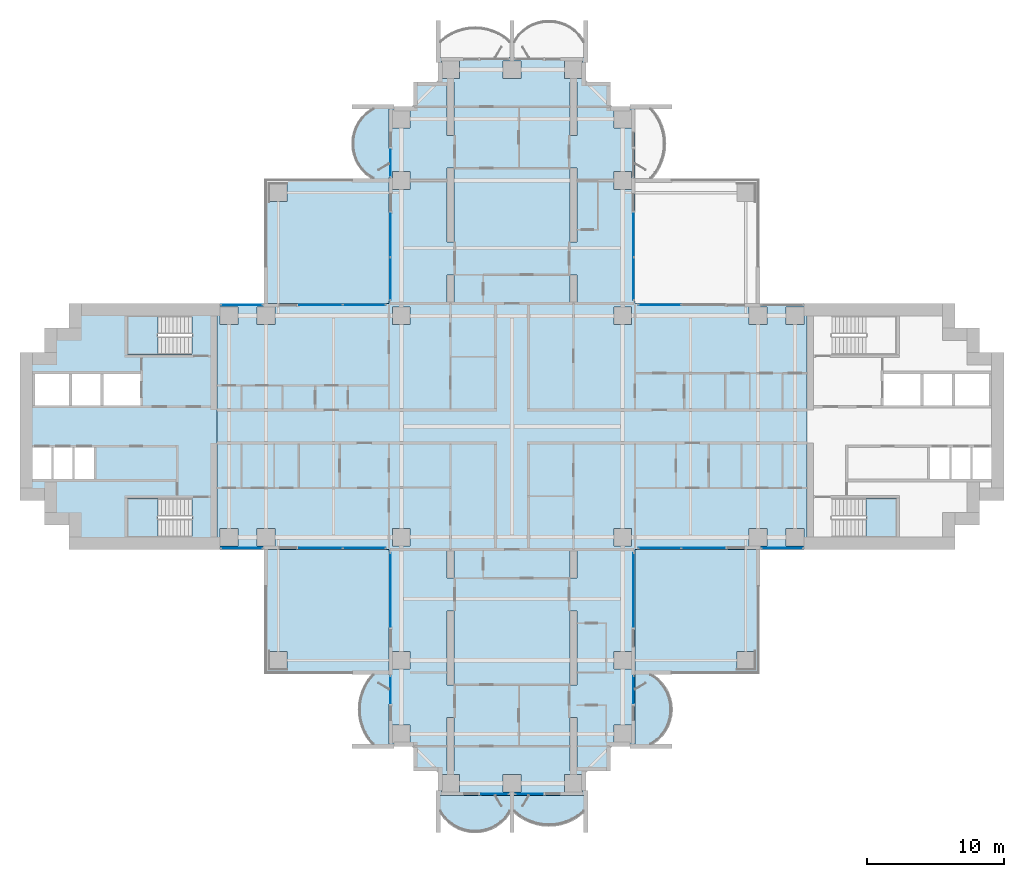
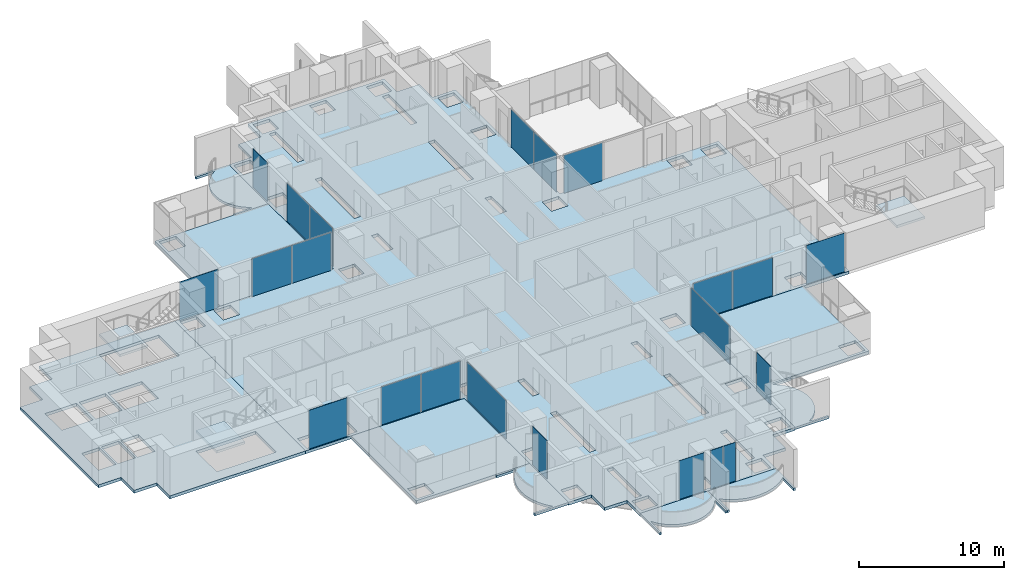
# One storey, part 8 of 21: 21 plates, 13 slabs, 19 elements without a shape of their own.
"""IFC4 building model written with IfcOpenShell, lengths in metres."""

from ifc_helpers import new_model, si_unit, direction, frame, origin, origin_2d, place, context, subcontext, project, spatial, polyline, rectangle, outline, extrude, material, layer, layer_set, type_object, element, aggregate, save


model = new_model("IFC4")

# Units and contexts
model_context = context("Model", 3, precision=1e-05, world=origin(), true_north=direction((0.0, 1.0)))
body_context = subcontext(model_context, "Body", "Model", "MODEL_VIEW")
ifc_project = project(units=[si_unit("LENGTHUNIT", "METRE"), si_unit("AREAUNIT", "SQUARE_METRE"), si_unit("VOLUMEUNIT", "CUBIC_METRE"), si_unit("PLANEANGLEUNIT", "RADIAN"), si_unit("MASSUNIT", "GRAM", prefix="KILO")], contexts=[model_context])

# Site, building, storey
site_placement = place(None, origin())
site = spatial("IfcSite", under=ifc_project, at=site_placement, CompositionType="ELEMENT")
building_placement = place(site_placement, origin())
building = spatial("IfcBuilding", under=site, at=building_placement, Name="Perihelion Cross Residences", CompositionType="ELEMENT")
storey_placement = place(building_placement, frame((0.0, 0.0, 47.0)))
storey = spatial("IfcBuildingStorey", under=building, at=storey_placement, Name="L08", CompositionType="ELEMENT", Elevation=47.0)

# Slabs
ifc_material_1 = material(Name="Concrete C40/50", Category="concrete")
ifc_layer_1 = layer(ifc_material_1, 0.199951171875)
ifc_layer_set_1 = layer_set([ifc_layer_1], Name="Balcony slab 200")
slab_type_1 = type_object("IfcSlabType", Name="Balcony slab 200", PredefinedType="FLOOR", material=ifc_layer_set_1)
slab_1_placement = place(storey_placement, frame((0.0, 0.0, -0.199951171875)))
element("IfcSlab", 1, at=slab_1_placement, inside=storey, type_object=slab_type_1, Name="Slab BK1 L08 north side west bay 1 balcony", PredefinedType="FLOOR", context=body_context, shape_type="SweptSolid", body=[
    extrude(outline(polyline([(-9.0, 23.39990234375), (-9.0, 18.0), (-11.699951171875, 18.0), (-11.699951171875, 18.14990234375), (-10.199951171875, 18.14990234375), (-10.6767578125, 18.489990234375), (-11.007080078125, 18.830078125), (-11.2490234375, 19.169921875), (-11.42724609375, 19.510009765625), (-11.553466796875, 19.85009765625), (-11.63427734375, 20.18994140625), (-11.674072265625, 20.530029296875), (-11.674072265625, 20.8701171875), (-11.63427734375, 21.2099609375), (-11.553466796875, 21.550048828125), (-11.42724609375, 21.889892578125), (-11.2490234375, 22.22998046875), (-11.007080078125, 22.570068359375), (-10.6767578125, 22.909912109375), (-10.199951171875, 23.25), (-11.699951171875, 23.25), (-11.699951171875, 23.39990234375), (-9.0, 23.39990234375)])), origin(), (0.0, 0.0, 1.0), 0.199951171875),
])
slab_2_placement = place(storey_placement, frame((0.0, 0.0, -0.199951171875)))
element("IfcSlab", 2, at=slab_2_placement, inside=storey, type_object=slab_type_1, Name="Slab BK1 L08 south side west bay 2 balcony", PredefinedType="FLOOR", context=body_context, shape_type="SweptSolid", body=[
    extrude(outline(polyline([(-9.0, -18.0), (-9.0, -23.39990234375), (-11.699951171875, -23.39990234375), (-11.699951171875, -23.25), (-10.199951171875, -23.25), (-10.5400390625, -22.824951171875), (-10.792724609375, -22.39990234375), (-10.9765625, -21.97509765625), (-11.1025390625, -21.550048828125), (-11.17578125, -21.125), (-11.199951171875, -20.699951171875), (-11.17578125, -20.27490234375), (-11.1025390625, -19.85009765625), (-10.9765625, -19.425048828125), (-10.792724609375, -19.0), (-10.5400390625, -18.574951171875), (-10.199951171875, -18.14990234375), (-11.699951171875, -18.14990234375), (-11.699951171875, -18.0), (-9.0, -18.0)])), origin(), (0.0, 0.0, 1.0), 0.199951171875),
])
slab_3_placement = place(storey_placement, frame((0.0, 0.0, -0.199951171875)))
element("IfcSlab", 3, at=slab_3_placement, inside=storey, type_object=slab_type_1, Name="Slab BK1 L08 south tip south bay 1 balcony", PredefinedType="FLOOR", context=body_context, shape_type="SweptSolid", body=[
    extrude(outline(polyline([(-5.39990234375, -27.0), (0.0, -27.0), (0.0, -29.699951171875), (-0.14990234375, -29.699951171875), (-0.14990234375, -28.199951171875), (-0.489990234375, -28.6767578125), (-0.830078125, -29.007080078125), (-1.169921875, -29.2490234375), (-1.510009765625, -29.42724609375), (-1.85009765625, -29.553466796875), (-2.18994140625, -29.63427734375), (-2.530029296875, -29.674072265625), (-2.8701171875, -29.674072265625), (-3.2099609375, -29.63427734375), (-3.550048828125, -29.553466796875), (-3.889892578125, -29.42724609375), (-4.22998046875, -29.2490234375), (-4.570068359375, -29.007080078125), (-4.909912109375, -28.6767578125), (-5.25, -28.199951171875), (-5.25, -29.699951171875), (-5.39990234375, -29.699951171875), (-5.39990234375, -27.0)])), origin(), (0.0, 0.0, 1.0), 0.199951171875),
])
slab_4_placement = place(storey_placement, frame((0.0, 0.0, -0.199951171875)))
element("IfcSlab", 4, at=slab_4_placement, inside=storey, type_object=slab_type_1, Name="Slab BK1 L08 south tip south bay 2 balcony", PredefinedType="FLOOR", context=body_context, shape_type="SweptSolid", body=[
    extrude(outline(polyline([(0.0, -27.0), (5.39990234375, -27.0), (5.39990234375, -29.699951171875), (5.25, -29.699951171875), (5.25, -28.199951171875), (4.824951171875, -28.5400390625), (4.39990234375, -28.792724609375), (3.97509765625, -28.9765625), (3.550048828125, -29.1025390625), (3.125, -29.17578125), (2.699951171875, -29.199951171875), (2.27490234375, -29.17578125), (1.85009765625, -29.1025390625), (1.425048828125, -28.9765625), (1.0, -28.792724609375), (0.574951171875, -28.5400390625), (0.14990234375, -28.199951171875), (0.14990234375, -29.699951171875), (0.0, -29.699951171875), (0.0, -27.0)])), origin(), (0.0, 0.0, 1.0), 0.199951171875),
])
slab_5_placement = place(storey_placement, frame((0.0, 0.0, -0.199951171875)))
element("IfcSlab", 5, at=slab_5_placement, inside=storey, type_object=slab_type_1, Name="Slab BK1 L08 south side east bay 1 balcony", PredefinedType="FLOOR", context=body_context, shape_type="SweptSolid", body=[
    extrude(outline(polyline([(9.0, -23.39990234375), (9.0, -18.0), (11.699951171875, -18.0), (11.699951171875, -18.14990234375), (10.199951171875, -18.14990234375), (10.6767578125, -18.489990234375), (11.007080078125, -18.830078125), (11.2490234375, -19.169921875), (11.42724609375, -19.510009765625), (11.553466796875, -19.85009765625), (11.63427734375, -20.18994140625), (11.674072265625, -20.530029296875), (11.674072265625, -20.8701171875), (11.63427734375, -21.2099609375), (11.553466796875, -21.550048828125), (11.42724609375, -21.889892578125), (11.2490234375, -22.22998046875), (11.007080078125, -22.570068359375), (10.6767578125, -22.909912109375), (10.199951171875, -23.25), (11.699951171875, -23.25), (11.699951171875, -23.39990234375), (9.0, -23.39990234375)])), origin(), (0.0, 0.0, 1.0), 0.199951171875),
])

# Curtain wall, plate
ifc_material_2 = material(Name="Bronze anodised aluminium, tinted glazing", Category="aluminium")
curtain_wall_type = type_object("IfcCurtainWallType", Name="CW1", PredefinedType="NOTDEFINED", material=ifc_material_2)
curtain_wall_1_placement = place(storey_placement, origin())
curtain_wall_1 = element("IfcCurtainWall", 6, at=curtain_wall_1_placement, inside=storey, type_object=curtain_wall_type, Name="Curtain wall CW1 L08 east side north bay 2", PredefinedType="NOTDEFINED")
ifc_material_3 = material(Name="Tinted laminated glass", Category="glass")
ifc_layer_2 = layer(ifc_material_3, 0.028076171875)
ifc_layer_set_2 = layer_set([ifc_layer_2], Name="CW1 panel")
plate_type = type_object("IfcPlateType", Name="CW1 panel", PredefinedType="CURTAIN_PANEL", material=ifc_layer_set_2)
plate_1_placement = place(storey_placement, frame((10.802490234375, 8.89990234375, 0.0), z_axis=(0.0, 0.0, 1.0), x_axis=(-1.0, 0.0, 0.0)))
plate_1 = element("IfcPlate", 7, at=plate_1_placement, type_object=plate_type, Name="CW1 panel 2", PredefinedType="CURTAIN_PANEL", context=body_context, shape_type="SweptSolid", body=[
    extrude(rectangle(XDim=3.0849609375, YDim=0.028076171875, at=origin_2d()), origin(), (0.0, 0.0, 1.0), 3.18994140625),
])
aggregate(curtain_wall_1, [plate_1])

# Curtain wall, plates
curtain_wall_2_placement = place(storey_placement, origin())
curtain_wall_2 = element("IfcCurtainWall", 8, at=curtain_wall_2_placement, inside=storey, type_object=curtain_wall_type, Name="Curtain wall CW1 L08 north side east bay 1", PredefinedType="NOTDEFINED")
plate_2_placement = place(storey_placement, frame((8.89990234375, 10.802490234375, 0.0), z_axis=(0.0, 0.0, 1.0), x_axis=(0.0, 1.0, 0.0)))
plate_2 = element("IfcPlate", 9, at=plate_2_placement, type_object=plate_type, Name="CW1 panel 1", PredefinedType="CURTAIN_PANEL", context=body_context, shape_type="SweptSolid", body=[
    extrude(rectangle(XDim=3.0849609375, YDim=0.028076171875, at=origin_2d()), origin(), (0.0, 0.0, 1.0), 3.18994140625),
])
plate_3_placement = place(storey_placement, frame((8.89990234375, 13.9775390625, 0.0), z_axis=(0.0, 0.0, 1.0), x_axis=(0.0, 1.0, 0.0)))
plate_3 = element("IfcPlate", 10, at=plate_3_placement, type_object=plate_type, Name="CW1 panel 2", PredefinedType="CURTAIN_PANEL", context=body_context, shape_type="SweptSolid", body=[
    extrude(rectangle(XDim=3.14501953125, YDim=0.028076171875, at=origin_2d()), origin(), (0.0, 0.0, 1.0), 3.18994140625),
])
aggregate(curtain_wall_2, [plate_2, plate_3])

# Curtain wall, plate
curtain_wall_3_placement = place(storey_placement, origin())
curtain_wall_3 = element("IfcCurtainWall", 11, at=curtain_wall_3_placement, inside=storey, type_object=curtain_wall_type, Name="Curtain wall CW1 L08 north side west bay 1", PredefinedType="NOTDEFINED")
plate_4_placement = place(storey_placement, frame((-8.89990234375, 19.2548828125, 0.0), z_axis=(0.0, 0.0, 1.0), x_axis=(0.0, -1.0, 0.0)))
plate_4 = element("IfcPlate", 12, at=plate_4_placement, type_object=plate_type, Name="CW1 panel 1", PredefinedType="CURTAIN_PANEL", context=body_context, shape_type="SweptSolid", body=[
    extrude(rectangle(XDim=1.989990234375, YDim=0.028076171875, at=origin_2d()), origin(), (0.0, 0.0, 1.0), 3.25),
])
aggregate(curtain_wall_3, [plate_4])

# Curtain wall, plates
curtain_wall_4_placement = place(storey_placement, origin())
curtain_wall_4 = element("IfcCurtainWall", 13, at=curtain_wall_4_placement, inside=storey, type_object=curtain_wall_type, Name="Curtain wall CW1 L08 north side west bay 2", PredefinedType="NOTDEFINED")
plate_5_placement = place(storey_placement, frame((-8.89990234375, 13.9775390625, 0.0), z_axis=(0.0, 0.0, 1.0), x_axis=(0.0, -1.0, 0.0)))
plate_5 = element("IfcPlate", 14, at=plate_5_placement, type_object=plate_type, Name="CW1 panel 1", PredefinedType="CURTAIN_PANEL", context=body_context, shape_type="SweptSolid", body=[
    extrude(rectangle(XDim=3.14501953125, YDim=0.028076171875, at=origin_2d()), origin(), (0.0, 0.0, 1.0), 3.18994140625),
])
plate_6_placement = place(storey_placement, frame((-8.89990234375, 10.802490234375, 0.0), z_axis=(0.0, 0.0, 1.0), x_axis=(0.0, -1.0, 0.0)))
plate_6 = element("IfcPlate", 15, at=plate_6_placement, type_object=plate_type, Name="CW1 panel 2", PredefinedType="CURTAIN_PANEL", context=body_context, shape_type="SweptSolid", body=[
    extrude(rectangle(XDim=3.0849609375, YDim=0.028076171875, at=origin_2d()), origin(), (0.0, 0.0, 1.0), 3.18994140625),
])
aggregate(curtain_wall_4, [plate_5, plate_6])

curtain_wall_5_placement = place(storey_placement, origin())
curtain_wall_5 = element("IfcCurtainWall", 16, at=curtain_wall_5_placement, inside=storey, type_object=curtain_wall_type, Name="Curtain wall CW1 L08 west side north bay 1", PredefinedType="NOTDEFINED")
plate_7_placement = place(storey_placement, frame((-10.802490234375, 8.89990234375, 0.0), z_axis=(0.0, 0.0, 1.0), x_axis=(-1.0, 0.0, 0.0)))
plate_7 = element("IfcPlate", 17, at=plate_7_placement, type_object=plate_type, Name="CW1 panel 1", PredefinedType="CURTAIN_PANEL", context=body_context, shape_type="SweptSolid", body=[
    extrude(rectangle(XDim=3.0849609375, YDim=0.028076171875, at=origin_2d()), origin(), (0.0, 0.0, 1.0), 3.18994140625),
])
plate_8_placement = place(storey_placement, frame((-13.9775390625, 8.89990234375, 0.0), z_axis=(0.0, 0.0, 1.0), x_axis=(-1.0, 0.0, 0.0)))
plate_8 = element("IfcPlate", 18, at=plate_8_placement, type_object=plate_type, Name="CW1 panel 2", PredefinedType="CURTAIN_PANEL", context=body_context, shape_type="SweptSolid", body=[
    extrude(rectangle(XDim=3.14501953125, YDim=0.028076171875, at=origin_2d()), origin(), (0.0, 0.0, 1.0), 3.18994140625),
])
aggregate(curtain_wall_5, [plate_7, plate_8])

# Curtain wall, plate
curtain_wall_6_placement = place(storey_placement, origin())
curtain_wall_6 = element("IfcCurtainWall", 19, at=curtain_wall_6_placement, inside=storey, type_object=curtain_wall_type, Name="Curtain wall CW1 L08 west side north bay 2", PredefinedType="NOTDEFINED")
plate_9_placement = place(storey_placement, frame((-19.77490234375, 8.89990234375, 0.0), z_axis=(0.0, 0.0, 1.0), x_axis=(-1.0, 0.0, 0.0)))
plate_9 = element("IfcPlate", 20, at=plate_9_placement, type_object=plate_type, Name="CW1 panel 1", PredefinedType="CURTAIN_PANEL", context=body_context, shape_type="SweptSolid", body=[
    extrude(rectangle(XDim=3.030029296875, YDim=0.028076171875, at=origin_2d()), origin(), (0.0, 0.0, 1.0), 3.25),
])
aggregate(curtain_wall_6, [plate_9])

curtain_wall_7_placement = place(storey_placement, origin())
curtain_wall_7 = element("IfcCurtainWall", 21, at=curtain_wall_7_placement, inside=storey, type_object=curtain_wall_type, Name="Curtain wall CW1 L08 west side south bay 1", PredefinedType="NOTDEFINED")
plate_10_placement = place(storey_placement, frame((-19.77490234375, -8.89990234375, 0.0), z_axis=(0.0, 0.0, 1.0), x_axis=(1.0, 0.0, 0.0)))
plate_10 = element("IfcPlate", 22, at=plate_10_placement, type_object=plate_type, Name="CW1 panel 1", PredefinedType="CURTAIN_PANEL", context=body_context, shape_type="SweptSolid", body=[
    extrude(rectangle(XDim=3.030029296875, YDim=0.028076171875, at=origin_2d()), origin(), (0.0, 0.0, 1.0), 3.25),
])
aggregate(curtain_wall_7, [plate_10])

# Curtain wall, plates
curtain_wall_8_placement = place(storey_placement, origin())
curtain_wall_8 = element("IfcCurtainWall", 23, at=curtain_wall_8_placement, inside=storey, type_object=curtain_wall_type, Name="Curtain wall CW1 L08 west side south bay 2", PredefinedType="NOTDEFINED")
plate_11_placement = place(storey_placement, frame((-13.9775390625, -8.89990234375, 0.0), z_axis=(0.0, 0.0, 1.0), x_axis=(1.0, 0.0, 0.0)))
plate_11 = element("IfcPlate", 24, at=plate_11_placement, type_object=plate_type, Name="CW1 panel 1", PredefinedType="CURTAIN_PANEL", context=body_context, shape_type="SweptSolid", body=[
    extrude(rectangle(XDim=3.14501953125, YDim=0.028076171875, at=origin_2d()), origin(), (0.0, 0.0, 1.0), 3.18994140625),
])
plate_12_placement = place(storey_placement, frame((-10.802490234375, -8.89990234375, 0.0), z_axis=(0.0, 0.0, 1.0), x_axis=(1.0, 0.0, 0.0)))
plate_12 = element("IfcPlate", 25, at=plate_12_placement, type_object=plate_type, Name="CW1 panel 2", PredefinedType="CURTAIN_PANEL", context=body_context, shape_type="SweptSolid", body=[
    extrude(rectangle(XDim=3.0849609375, YDim=0.028076171875, at=origin_2d()), origin(), (0.0, 0.0, 1.0), 3.18994140625),
])
aggregate(curtain_wall_8, [plate_11, plate_12])

# Curtain wall, plate
curtain_wall_9_placement = place(storey_placement, origin())
curtain_wall_9 = element("IfcCurtainWall", 26, at=curtain_wall_9_placement, inside=storey, type_object=curtain_wall_type, Name="Curtain wall CW1 L08 south side west bay 1", PredefinedType="NOTDEFINED")
plate_13_placement = place(storey_placement, frame((-8.89990234375, -11.955078125, 0.0), z_axis=(0.0, 0.0, 1.0), x_axis=(0.0, -1.0, 0.0)))
plate_13 = element("IfcPlate", 27, at=plate_13_placement, type_object=plate_type, Name="CW1 panel 1", PredefinedType="CURTAIN_PANEL", context=body_context, shape_type="SweptSolid", body=[
    extrude(rectangle(XDim=5.389892578125, YDim=0.028076171875, at=origin_2d()), origin(), (0.0, 0.0, 1.0), 3.18994140625),
])
aggregate(curtain_wall_9, [plate_13])

curtain_wall_10_placement = place(storey_placement, origin())
curtain_wall_10 = element("IfcCurtainWall", 28, at=curtain_wall_10_placement, inside=storey, type_object=curtain_wall_type, Name="Curtain wall CW1 L08 south side west bay 2", PredefinedType="NOTDEFINED")
plate_14_placement = place(storey_placement, frame((-8.89990234375, -19.2548828125, 0.0), z_axis=(0.0, 0.0, 1.0), x_axis=(0.0, -1.0, 0.0)))
plate_14 = element("IfcPlate", 29, at=plate_14_placement, type_object=plate_type, Name="CW1 panel 1", PredefinedType="CURTAIN_PANEL", context=body_context, shape_type="SweptSolid", body=[
    extrude(rectangle(XDim=1.989990234375, YDim=0.028076171875, at=origin_2d()), origin(), (0.0, 0.0, 1.0), 3.25),
])
aggregate(curtain_wall_10, [plate_14])

curtain_wall_11_placement = place(storey_placement, origin())
curtain_wall_11 = element("IfcCurtainWall", 30, at=curtain_wall_11_placement, inside=storey, type_object=curtain_wall_type, Name="Curtain wall CW1 L08 south tip south bay 1", PredefinedType="NOTDEFINED")
plate_15_placement = place(storey_placement, frame((-1.2548828125, -26.89990234375, 0.0), z_axis=(0.0, 0.0, 1.0), x_axis=(1.0, 0.0, 0.0)))
plate_15 = element("IfcPlate", 31, at=plate_15_placement, type_object=plate_type, Name="CW1 panel 1", PredefinedType="CURTAIN_PANEL", context=body_context, shape_type="SweptSolid", body=[
    extrude(rectangle(XDim=1.989990234375, YDim=0.028076171875, at=origin_2d()), origin(), (0.0, 0.0, 1.0), 3.25),
])
aggregate(curtain_wall_11, [plate_15])

curtain_wall_12_placement = place(storey_placement, origin())
curtain_wall_12 = element("IfcCurtainWall", 32, at=curtain_wall_12_placement, inside=storey, type_object=curtain_wall_type, Name="Curtain wall CW1 L08 south tip south bay 2", PredefinedType="NOTDEFINED")
plate_16_placement = place(storey_placement, frame((1.2548828125, -26.89990234375, 0.0), z_axis=(0.0, 0.0, 1.0), x_axis=(1.0, 0.0, 0.0)))
plate_16 = element("IfcPlate", 33, at=plate_16_placement, type_object=plate_type, Name="CW1 panel 1", PredefinedType="CURTAIN_PANEL", context=body_context, shape_type="SweptSolid", body=[
    extrude(rectangle(XDim=1.989990234375, YDim=0.028076171875, at=origin_2d()), origin(), (0.0, 0.0, 1.0), 3.25),
])
aggregate(curtain_wall_12, [plate_16])

curtain_wall_13_placement = place(storey_placement, origin())
curtain_wall_13 = element("IfcCurtainWall", 34, at=curtain_wall_13_placement, inside=storey, type_object=curtain_wall_type, Name="Curtain wall CW1 L08 south side east bay 1", PredefinedType="NOTDEFINED")
plate_17_placement = place(storey_placement, frame((8.89990234375, -19.2548828125, 0.0), z_axis=(0.0, 0.0, 1.0), x_axis=(0.0, 1.0, 0.0)))
plate_17 = element("IfcPlate", 35, at=plate_17_placement, type_object=plate_type, Name="CW1 panel 1", PredefinedType="CURTAIN_PANEL", context=body_context, shape_type="SweptSolid", body=[
    extrude(rectangle(XDim=1.989990234375, YDim=0.028076171875, at=origin_2d()), origin(), (0.0, 0.0, 1.0), 3.25),
])
aggregate(curtain_wall_13, [plate_17])

curtain_wall_14_placement = place(storey_placement, origin())
curtain_wall_14 = element("IfcCurtainWall", 36, at=curtain_wall_14_placement, inside=storey, type_object=curtain_wall_type, Name="Curtain wall CW1 L08 south side east bay 2", PredefinedType="NOTDEFINED")
plate_18_placement = place(storey_placement, frame((8.89990234375, -11.955078125, 0.0), z_axis=(0.0, 0.0, 1.0), x_axis=(0.0, 1.0, 0.0)))
plate_18 = element("IfcPlate", 37, at=plate_18_placement, type_object=plate_type, Name="CW1 panel 1", PredefinedType="CURTAIN_PANEL", context=body_context, shape_type="SweptSolid", body=[
    extrude(rectangle(XDim=5.389892578125, YDim=0.028076171875, at=origin_2d()), origin(), (0.0, 0.0, 1.0), 3.18994140625),
])
aggregate(curtain_wall_14, [plate_18])

# Curtain wall, plates
curtain_wall_15_placement = place(storey_placement, origin())
curtain_wall_15 = element("IfcCurtainWall", 38, at=curtain_wall_15_placement, inside=storey, type_object=curtain_wall_type, Name="Curtain wall CW1 L08 east side south bay 1", PredefinedType="NOTDEFINED")
plate_19_placement = place(storey_placement, frame((10.802490234375, -8.89990234375, 0.0), z_axis=(0.0, 0.0, 1.0), x_axis=(1.0, 0.0, 0.0)))
plate_19 = element("IfcPlate", 39, at=plate_19_placement, type_object=plate_type, Name="CW1 panel 1", PredefinedType="CURTAIN_PANEL", context=body_context, shape_type="SweptSolid", body=[
    extrude(rectangle(XDim=3.0849609375, YDim=0.028076171875, at=origin_2d()), origin(), (0.0, 0.0, 1.0), 3.18994140625),
])
plate_20_placement = place(storey_placement, frame((13.9775390625, -8.89990234375, 0.0), z_axis=(0.0, 0.0, 1.0), x_axis=(1.0, 0.0, 0.0)))
plate_20 = element("IfcPlate", 40, at=plate_20_placement, type_object=plate_type, Name="CW1 panel 2", PredefinedType="CURTAIN_PANEL", context=body_context, shape_type="SweptSolid", body=[
    extrude(rectangle(XDim=3.14501953125, YDim=0.028076171875, at=origin_2d()), origin(), (0.0, 0.0, 1.0), 3.18994140625),
])
aggregate(curtain_wall_15, [plate_19, plate_20])

# Curtain wall, plate
curtain_wall_16_placement = place(storey_placement, origin())
curtain_wall_16 = element("IfcCurtainWall", 41, at=curtain_wall_16_placement, inside=storey, type_object=curtain_wall_type, Name="Curtain wall CW1 L08 east side south bay 2", PredefinedType="NOTDEFINED")
plate_21_placement = place(storey_placement, frame((19.77490234375, -8.89990234375, 0.0), z_axis=(0.0, 0.0, 1.0), x_axis=(1.0, 0.0, 0.0)))
plate_21 = element("IfcPlate", 42, at=plate_21_placement, type_object=plate_type, Name="CW1 panel 1", PredefinedType="CURTAIN_PANEL", context=body_context, shape_type="SweptSolid", body=[
    extrude(rectangle(XDim=3.030029296875, YDim=0.028076171875, at=origin_2d()), origin(), (0.0, 0.0, 1.0), 3.25),
])
aggregate(curtain_wall_16, [plate_21])

# Slabs
ifc_material_4 = material(Name="Concrete C40/50", Category="concrete")
ifc_layer_3 = layer(ifc_material_4, 0.25)
ifc_layer_set_3 = layer_set([ifc_layer_3], Name="Core floor slab 250")
slab_type_2 = type_object("IfcSlabType", Name="Core floor slab 250", PredefinedType="FLOOR", material=ifc_layer_set_3)
slab_6_placement = place(storey_placement, frame((0.0, 0.0, -0.25)))
element("IfcSlab", 43, at=slab_6_placement, inside=storey, type_object=slab_type_2, Name="West core floor slab", PredefinedType="FLOOR", context=body_context, shape_type="SweptSolid", body=[
    extrude(outline(polyline([(-32.39990234375, 7.199951171875), (-34.199951171875, 7.199951171875), (-34.199951171875, 5.39990234375), (-36.0, 5.39990234375), (-36.0, -5.39990234375), (-34.199951171875, -5.39990234375), (-34.199951171875, -7.199951171875), (-32.39990234375, -7.199951171875), (-32.39990234375, -9.0), (-21.60009765625, -9.0), (-21.60009765625, 9.0), (-32.39990234375, 9.0), (-32.39990234375, 7.199951171875)]), holes=[polyline([(-23.405029296875, -8.10009765625), (-28.14990234375, -8.10009765625), (-28.14990234375, -5.25), (-23.405029296875, -5.25), (-23.405029296875, -8.10009765625)]), polyline([(-30.60009765625, -1.550048828125), (-30.60009765625, -3.85009765625), (-32.0, -3.85009765625), (-32.0, -1.550048828125), (-30.60009765625, -1.550048828125)]), polyline([(-32.14990234375, -1.550048828125), (-32.14990234375, -3.85009765625), (-33.550048828125, -3.85009765625), (-33.550048828125, -1.550048828125), (-32.14990234375, -1.550048828125)]), polyline([(-33.699951171875, -1.550048828125), (-33.699951171875, -3.85009765625), (-35.10009765625, -3.85009765625), (-35.10009765625, -1.550048828125), (-33.699951171875, -1.550048828125)]), polyline([(-27.199951171875, 3.85009765625), (-27.199951171875, 1.550048828125), (-29.89990234375, 1.550048828125), (-29.89990234375, 3.85009765625), (-27.199951171875, 3.85009765625)]), polyline([(-30.10009765625, 3.85009765625), (-30.10009765625, 1.550048828125), (-32.199951171875, 1.550048828125), (-32.199951171875, 3.85009765625), (-30.10009765625, 3.85009765625)]), polyline([(-32.39990234375, 3.85009765625), (-32.39990234375, 1.550048828125), (-34.89990234375, 1.550048828125), (-34.89990234375, 3.85009765625), (-32.39990234375, 3.85009765625)]), polyline([(-23.405029296875, 5.25), (-28.14990234375, 5.25), (-28.14990234375, 8.10009765625), (-23.405029296875, 8.10009765625), (-23.405029296875, 5.25)])]), origin(), (0.0, 0.0, 1.0), 0.25),
])
ifc_material_5 = material(Name="Concrete C40/50", Category="concrete")
ifc_layer_4 = layer(ifc_material_5, 0.25)
ifc_layer_set_4 = layer_set([ifc_layer_4], Name="Corner terrace slab")
slab_type_3 = type_object("IfcSlabType", Name="Corner terrace slab", PredefinedType="FLOOR", material=ifc_layer_set_4)
slab_7_placement = place(storey_placement, frame((0.0, 0.0, -0.25)))
element("IfcSlab", 44, at=slab_7_placement, inside=storey, type_object=slab_type_3, Name="Slab BK2 L08 pocket north-west", PredefinedType="FLOOR", context=body_context, shape_type="SweptSolid", body=[
    extrude(outline(polyline([(-9.0, 9.0), (-9.0, 18.0), (-18.0, 18.0), (-18.0, 9.0), (-9.0, 9.0)]), holes=[polyline([(-17.7900390625, 16.409912109375), (-17.7900390625, 17.7900390625), (-16.449951171875, 17.7900390625), (-16.449951171875, 16.449951171875), (-17.75, 16.449951171875), (-17.75, 16.409912109375), (-17.7900390625, 16.409912109375)])]), origin(), (0.0, 0.0, 1.0), 0.25),
])
slab_8_placement = place(storey_placement, frame((0.0, 0.0, -0.25)))
element("IfcSlab", 45, at=slab_8_placement, inside=storey, type_object=slab_type_3, Name="Slab BK2 L08 pocket south-west", PredefinedType="FLOOR", context=body_context, shape_type="SweptSolid", body=[
    extrude(outline(polyline([(-9.0, -18.0), (-9.0, -9.0), (-18.0, -9.0), (-18.0, -18.0), (-9.0, -18.0)]), holes=[polyline([(-17.7900390625, -16.409912109375), (-17.75, -16.409912109375), (-17.75, -16.449951171875), (-16.449951171875, -16.449951171875), (-16.449951171875, -17.7900390625), (-17.7900390625, -17.7900390625), (-17.7900390625, -16.409912109375)])]), origin(), (0.0, 0.0, 1.0), 0.25),
])
slab_9_placement = place(storey_placement, frame((0.0, 0.0, -0.25)))
element("IfcSlab", 46, at=slab_9_placement, inside=storey, type_object=slab_type_3, Name="Slab BK2 L08 pocket south-east", PredefinedType="FLOOR", context=body_context, shape_type="SweptSolid", body=[
    extrude(outline(polyline([(18.0, -18.0), (18.0, -9.0), (9.0, -9.0), (9.0, -18.0), (18.0, -18.0)]), holes=[polyline([(16.449951171875, -17.7900390625), (16.449951171875, -16.449951171875), (17.75, -16.449951171875), (17.75, -16.409912109375), (17.7900390625, -16.409912109375), (17.7900390625, -17.7900390625), (16.449951171875, -17.7900390625)])]), origin(), (0.0, 0.0, 1.0), 0.25),
])

# Stair, slab
ifc_material_6 = material(Name="Concrete C40/50", Category="concrete")
stair_type = type_object("IfcStairType", Name="Exit stair, half-turn", PredefinedType="HALF_TURN_STAIR", material=ifc_material_6)
stair_1_placement = place(storey_placement, origin())
stair_1 = element("IfcStair", 47, at=stair_1_placement, inside=storey, type_object=stair_type, Name="L08 East core exit stair 2", PredefinedType="HALF_TURN_STAIR")
ifc_material_7 = material(Name="Concrete C40/50", Category="concrete")
ifc_layer_5 = layer(ifc_material_7, 0.199951171875)
ifc_layer_set_5 = layer_set([ifc_layer_5], Name="Exit stair landing 200")
slab_type_4 = type_object("IfcSlabType", Name="Exit stair landing 200", PredefinedType="LANDING", material=ifc_layer_set_5)
slab_10_placement = place(storey_placement, frame((0.0, 0.0, 1.550048828125)))
slab_10 = element("IfcSlab", 48, at=slab_10_placement, type_object=slab_type_4, Name="ST-E2 landing 1", PredefinedType="LANDING", context=body_context, shape_type="SweptSolid", body=[
    extrude(outline(polyline([(25.919921875, -8.10009765625), (28.14990234375, -8.10009765625), (28.14990234375, -5.25), (25.919921875, -5.25), (25.919921875, -8.10009765625)])), origin(), (0.0, 0.0, 1.0), 0.199951171875),
])
aggregate(stair_1, [slab_10])

stair_2_placement = place(storey_placement, origin())
stair_2 = element("IfcStair", 49, at=stair_2_placement, inside=storey, type_object=stair_type, Name="L08 West core exit stair 1", PredefinedType="HALF_TURN_STAIR")
slab_11_placement = place(storey_placement, frame((0.0, 0.0, 1.550048828125)))
slab_11 = element("IfcSlab", 50, at=slab_11_placement, type_object=slab_type_4, Name="ST-W1 landing 1", PredefinedType="LANDING", context=body_context, shape_type="SweptSolid", body=[
    extrude(outline(polyline([(-25.919921875, 8.10009765625), (-28.14990234375, 8.10009765625), (-28.14990234375, 5.25), (-25.919921875, 5.25), (-25.919921875, 8.10009765625)])), origin(), (0.0, 0.0, 1.0), 0.199951171875),
])
aggregate(stair_2, [slab_11])

stair_3_placement = place(storey_placement, origin())
stair_3 = element("IfcStair", 51, at=stair_3_placement, inside=storey, type_object=stair_type, Name="L08 West core exit stair 2", PredefinedType="HALF_TURN_STAIR")
slab_12_placement = place(storey_placement, frame((0.0, 0.0, 1.550048828125)))
slab_12 = element("IfcSlab", 52, at=slab_12_placement, type_object=slab_type_4, Name="ST-W2 landing 1", PredefinedType="LANDING", context=body_context, shape_type="SweptSolid", body=[
    extrude(outline(polyline([(-25.919921875, -5.25), (-28.14990234375, -5.25), (-28.14990234375, -8.10009765625), (-25.919921875, -8.10009765625), (-25.919921875, -5.25)])), origin(), (0.0, 0.0, 1.0), 0.199951171875),
])
aggregate(stair_3, [slab_12])

# Slab
ifc_material_8 = material(Name="Concrete C50/60", Category="concrete")
ifc_layer_6 = layer(ifc_material_8, 0.25)
ifc_layer_set_6 = layer_set([ifc_layer_6], Name="Residential floor post-tensioned slab concrete C50/60")
slab_type_5 = type_object("IfcSlabType", Name="Residential floor post-tensioned slab concrete C50/60", PredefinedType="FLOOR", material=ifc_layer_set_6)
slab_13_placement = place(storey_placement, frame((0.0, 0.0, -0.25)))
element("IfcSlab", 53, at=slab_13_placement, inside=storey, type_object=slab_type_5, Name="Slab SL8 L08 1 no. 1", PredefinedType="FLOOR", context=body_context, shape_type="SweptSolid", body=[
    extrude(outline(polyline([(-9.0, 9.0), (-9.0, 23.39990234375), (-7.199951171875, 23.39990234375), (-7.199951171875, 25.199951171875), (-5.39990234375, 25.199951171875), (-5.39990234375, 27.0), (5.39990234375, 27.0), (5.39990234375, 25.199951171875), (7.199951171875, 25.199951171875), (7.199951171875, 23.39990234375), (9.0, 23.39990234375), (9.0, 9.0), (21.60009765625, 9.0), (21.60009765625, -9.0), (9.0, -9.0), (9.0, -23.39990234375), (7.199951171875, -23.39990234375), (7.199951171875, -25.199951171875), (5.39990234375, -25.199951171875), (5.39990234375, -27.0), (-5.39990234375, -27.0), (-5.39990234375, -25.199951171875), (-7.199951171875, -25.199951171875), (-7.199951171875, -23.39990234375), (-9.0, -23.39990234375), (-9.0, -9.0), (-21.60009765625, -9.0), (-21.60009765625, 9.0), (-9.0, 9.0)]), holes=[polyline([(0.64990234375, -26.75), (0.64990234375, -25.449951171875), (-0.64990234375, -25.449951171875), (-0.64990234375, -26.75), (0.64990234375, -26.75)]), polyline([(-3.85009765625, -26.75), (-3.85009765625, -25.449951171875), (-5.14990234375, -25.449951171875), (-5.14990234375, -26.75), (-3.85009765625, -26.75)]), polyline([(-4.25, -25.199951171875), (-4.25, -21.300048828125), (-4.75, -21.300048828125), (-4.75, -25.199951171875), (-4.25, -25.199951171875)]), polyline([(-8.75, -23.14990234375), (-7.449951171875, -23.14990234375), (-7.449951171875, -21.85009765625), (-8.75, -21.85009765625), (-8.75, -23.14990234375)]), polyline([(-8.75, -17.75), (-7.449951171875, -17.75), (-7.449951171875, -16.449951171875), (-8.75, -16.449951171875), (-8.75, -17.75)]), polyline([(-4.25, -18.89990234375), (-4.25, -13.5), (-4.75, -13.5), (-4.75, -18.89990234375), (-4.25, -18.89990234375)]), polyline([(-4.25, -11.10009765625), (-4.25, -9.0), (-4.75, -9.0), (-4.75, -11.10009765625), (-4.25, -11.10009765625)]), polyline([(-7.449951171875, -8.75), (-7.449951171875, -7.449951171875), (-8.75, -7.449951171875), (-8.75, -8.75), (-7.449951171875, -8.75)]), polyline([(-18.64990234375, -8.75), (-17.35009765625, -8.75), (-17.35009765625, -7.449951171875), (-18.64990234375, -7.449951171875), (-18.64990234375, -8.75)]), polyline([(-21.35009765625, -8.75), (-20.050048828125, -8.75), (-20.050048828125, -7.449951171875), (-21.35009765625, -7.449951171875), (-21.35009765625, -8.75)]), polyline([(-17.35009765625, 7.449951171875), (-17.35009765625, 8.75), (-18.64990234375, 8.75), (-18.64990234375, 7.449951171875), (-17.35009765625, 7.449951171875)]), polyline([(-7.449951171875, 7.449951171875), (-7.449951171875, 8.75), (-8.75, 8.75), (-8.75, 7.449951171875), (-7.449951171875, 7.449951171875)]), polyline([(-21.35009765625, 7.449951171875), (-20.050048828125, 7.449951171875), (-20.050048828125, 8.75), (-21.35009765625, 8.75), (-21.35009765625, 7.449951171875)]), polyline([(-4.75, 9.0), (-4.25, 9.0), (-4.25, 11.10009765625), (-4.75, 11.10009765625), (-4.75, 9.0)]), polyline([(-4.25, 13.5), (-4.25, 18.89990234375), (-4.75, 18.89990234375), (-4.75, 13.5), (-4.25, 13.5)]), polyline([(-7.449951171875, 17.35009765625), (-7.449951171875, 18.64990234375), (-8.75, 18.64990234375), (-8.75, 17.35009765625), (-7.449951171875, 17.35009765625)]), polyline([(-7.449951171875, 21.85009765625), (-7.449951171875, 23.14990234375), (-8.75, 23.14990234375), (-8.75, 21.85009765625), (-7.449951171875, 21.85009765625)]), polyline([(-4.75, 21.300048828125), (-4.25, 21.300048828125), (-4.25, 25.199951171875), (-4.75, 25.199951171875), (-4.75, 21.300048828125)]), polyline([(-5.14990234375, 25.449951171875), (-3.85009765625, 25.449951171875), (-3.85009765625, 26.75), (-5.14990234375, 26.75), (-5.14990234375, 25.449951171875)]), polyline([(5.14990234375, -26.75), (5.14990234375, -25.449951171875), (3.85009765625, -25.449951171875), (3.85009765625, -26.75), (5.14990234375, -26.75)]), polyline([(4.75, -25.199951171875), (4.75, -21.300048828125), (4.25, -21.300048828125), (4.25, -25.199951171875), (4.75, -25.199951171875)]), polyline([(8.75, -23.14990234375), (8.75, -21.85009765625), (7.449951171875, -21.85009765625), (7.449951171875, -23.14990234375), (8.75, -23.14990234375)]), polyline([(7.449951171875, -17.75), (8.75, -17.75), (8.75, -16.449951171875), (7.449951171875, -16.449951171875), (7.449951171875, -17.75)]), polyline([(4.25, -18.89990234375), (4.75, -18.89990234375), (4.75, -13.5), (4.25, -13.5), (4.25, -18.89990234375)]), polyline([(4.75, -11.10009765625), (4.75, -9.0), (4.25, -9.0), (4.25, -11.10009765625), (4.75, -11.10009765625)]), polyline([(18.64990234375, -8.75), (18.64990234375, -7.449951171875), (17.35009765625, -7.449951171875), (17.35009765625, -8.75), (18.64990234375, -8.75)]), polyline([(21.35009765625, -8.75), (21.35009765625, -7.449951171875), (20.050048828125, -7.449951171875), (20.050048828125, -8.75), (21.35009765625, -8.75)]), polyline([(7.449951171875, -8.75), (8.75, -8.75), (8.75, -7.449951171875), (7.449951171875, -7.449951171875), (7.449951171875, -8.75)]), polyline([(21.35009765625, 7.449951171875), (21.35009765625, 8.75), (20.050048828125, 8.75), (20.050048828125, 7.449951171875), (21.35009765625, 7.449951171875)]), polyline([(8.75, 7.449951171875), (8.75, 8.75), (7.449951171875, 8.75), (7.449951171875, 7.449951171875), (8.75, 7.449951171875)]), polyline([(18.64990234375, 7.449951171875), (18.64990234375, 8.75), (17.35009765625, 8.75), (17.35009765625, 7.449951171875), (18.64990234375, 7.449951171875)]), polyline([(4.25, 9.0), (4.75, 9.0), (4.75, 11.10009765625), (4.25, 11.10009765625), (4.25, 9.0)]), polyline([(4.25, 13.5), (4.75, 13.5), (4.75, 18.89990234375), (4.25, 18.89990234375), (4.25, 13.5)]), polyline([(8.75, 17.35009765625), (8.75, 18.64990234375), (7.449951171875, 18.64990234375), (7.449951171875, 17.35009765625), (8.75, 17.35009765625)]), polyline([(8.75, 21.85009765625), (8.75, 23.14990234375), (7.449951171875, 23.14990234375), (7.449951171875, 21.85009765625), (8.75, 21.85009765625)]), polyline([(4.75, 21.300048828125), (4.75, 25.199951171875), (4.25, 25.199951171875), (4.25, 21.300048828125), (4.75, 21.300048828125)]), polyline([(-0.64990234375, 25.449951171875), (0.64990234375, 25.449951171875), (0.64990234375, 26.75), (-0.64990234375, 26.75), (-0.64990234375, 25.449951171875)]), polyline([(3.85009765625, 25.449951171875), (5.14990234375, 25.449951171875), (5.14990234375, 26.75), (3.85009765625, 26.75), (3.85009765625, 25.449951171875)])]), origin(), (0.0, 0.0, 1.0), 0.25),
])

save(model, "model.ifc")
